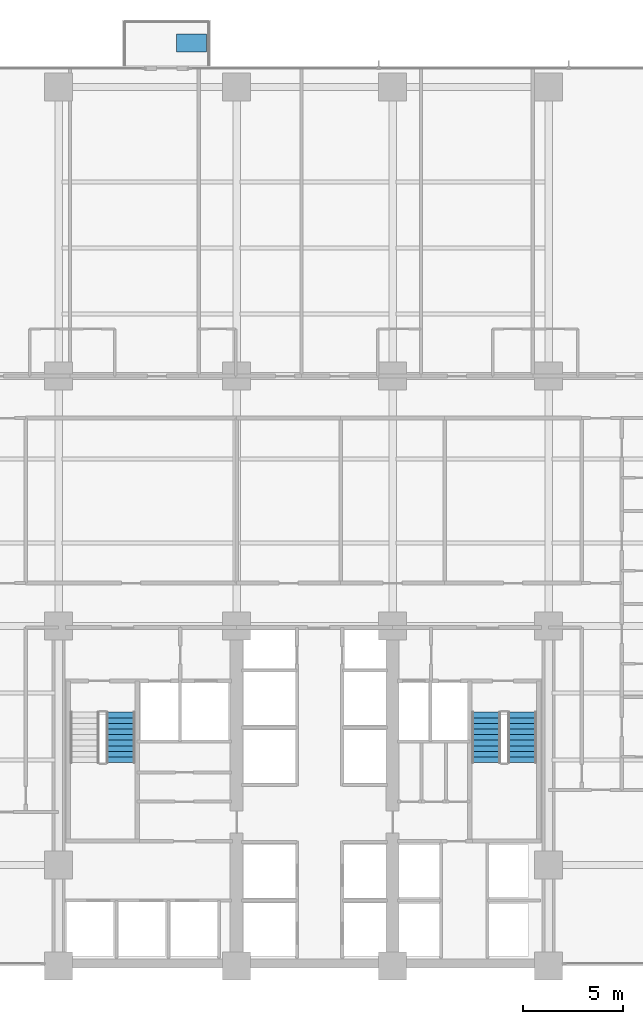
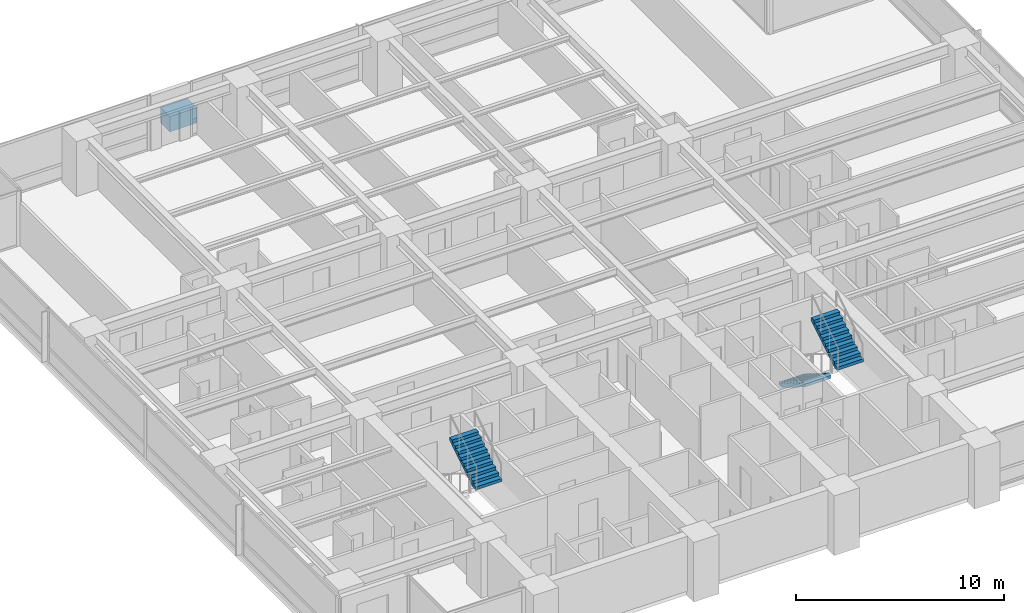
# One storey, part 12 of 18: 3 stair flights, 1 discrete accessory, 2 elements without a shape of their own.
"""IFC4 building model written with IfcOpenShell, lengths in metres."""

from ifc_helpers import new_model, si_unit, direction, frame, origin, place, context, subcontext, project, spatial, polyline, outline, extrude, material, layer, layer_set, type_object, element, aggregate, save


model = new_model("IFC4")

# Units and contexts
model_context = context("Model", 3, precision=1e-05, world=origin(), true_north=direction((0.0, 1.0)))
body_context = subcontext(model_context, "Body", "Model", "MODEL_VIEW")
ifc_project = project(units=[si_unit("LENGTHUNIT", "METRE"), si_unit("AREAUNIT", "SQUARE_METRE"), si_unit("VOLUMEUNIT", "CUBIC_METRE"), si_unit("PLANEANGLEUNIT", "RADIAN"), si_unit("MASSUNIT", "GRAM", prefix="KILO")], contexts=[model_context])

# Site, building, storey
site_placement = place(None, origin())
site = spatial("IfcSite", under=ifc_project, at=site_placement, CompositionType="ELEMENT")
building_placement = place(site_placement, origin())
building = spatial("IfcBuilding", under=site, at=building_placement, Name="Qalmaran Belvedere Hotel", CompositionType="ELEMENT")
storey_placement = place(building_placement, frame((0.0, 0.0, 54.39990234375)))
storey = spatial("IfcBuildingStorey", under=building, at=storey_placement, Name="L13", CompositionType="ELEMENT", Elevation=54.39990234375)

# Stair, stair flight
ifc_material = material(Name="Concrete C40/50", Category="concrete")
stair_type_1 = type_object("IfcStairType", Name="STR-ST-1-1450-R1750", PredefinedType="HALF_TURN_STAIR", material=ifc_material)
stair_1_placement = place(storey_placement, origin())
stair_1 = element("IfcStair", 1, at=stair_1_placement, inside=storey, type_object=stair_type_1, Name="L13 West Core Exit Stair ST-1", PredefinedType="HALF_TURN_STAIR")
ifc_layer_1 = layer(ifc_material, 0.14990234375, Name="Concrete C40/50")
ifc_layer_set_1 = layer_set([ifc_layer_1], Name="Concrete C40/50")
stair_flight_type_1 = type_object("IfcStairFlightType", Name="STF-ST-1-1450-R1750", PredefinedType="STRAIGHT", material=ifc_layer_set_1)
stair_flight_1_placement = place(storey_placement, frame((23.39501953125, 13.669921875, 1.75), z_axis=(0.0, 0.0, 1.0), x_axis=(0.0, 1.0, 0.0)))
stair_flight_1 = element("IfcStairFlight", 2, at=stair_flight_1_placement, type_object=stair_flight_type_1, Name="ST-1 flight 2", NumberOfRisers=10, NumberOfTreads=9, PredefinedType="STRAIGHT", RiserHeight=0.175, TreadLength=0.28, context=body_context, shape_type="SweptSolid", body=[
    extrude(outline(polyline([(0.0, 0.0), (0.0, 0.175048828125), (0.280029296875, 0.175048828125), (0.280029296875, 0.35009765625), (0.56005859375, 0.35009765625), (0.56005859375, 0.52490234375), (0.840087890625, 0.52490234375), (0.840087890625, 0.699951171875), (1.1201171875, 0.699951171875), (1.1201171875, 0.875), (1.39990234375, 0.875), (1.39990234375, 1.050048828125), (1.679931640625, 1.050048828125), (1.679931640625, 1.22509765625), (1.9599609375, 1.22509765625), (1.9599609375, 1.39990234375), (2.239990234375, 1.39990234375), (2.239990234375, 1.574951171875), (2.52001953125, 1.574951171875), (2.52001953125, 1.75), (2.52001953125, 1.398193359375), (0.28271484375, 0.0), (0.0, 0.0)])), frame((0.0, 0.72509765625, 0.0), z_axis=(0.0, -1.0, 0.0), x_axis=(1.0, 0.0, 0.0)), (0.0, 0.0, 1.0), 1.449951171875),
])
aggregate(stair_1, [stair_flight_1])

# Stair, stair flights
stair_type_2 = type_object("IfcStairType", Name="STR-ST-2-1450-R1750", PredefinedType="HALF_TURN_STAIR", material=ifc_material)
stair_2_placement = place(storey_placement, origin())
stair_2 = element("IfcStair", 3, at=stair_2_placement, inside=storey, type_object=stair_type_2, Name="L13 East Core Exit Stair ST-2", PredefinedType="HALF_TURN_STAIR")
ifc_layer_2 = layer(ifc_material, 0.14990234375, Name="Concrete C40/50")
ifc_layer_set_2 = layer_set([ifc_layer_2], Name="Concrete C40/50")
stair_flight_type_2 = type_object("IfcStairFlightType", Name="STF-ST-2-1450-R1750", PredefinedType="STRAIGHT", material=ifc_layer_set_2)
stair_flight_2_placement = place(storey_placement, frame((41.68505859375, 16.18994140625, 0.0), z_axis=(0.0, 0.0, 1.0), x_axis=(0.0, -1.0, 0.0)))
stair_flight_2 = element("IfcStairFlight", 4, at=stair_flight_2_placement, type_object=stair_flight_type_2, Name="ST-2 flight 1", NumberOfRisers=10, NumberOfTreads=9, PredefinedType="STRAIGHT", RiserHeight=0.175, TreadLength=0.28, context=body_context, shape_type="SweptSolid", body=[
    extrude(outline(polyline([(0.0, 0.0), (0.0, 0.175048828125), (0.280029296875, 0.175048828125), (0.280029296875, 0.35009765625), (0.56005859375, 0.35009765625), (0.56005859375, 0.52490234375), (0.840087890625, 0.52490234375), (0.840087890625, 0.699951171875), (1.1201171875, 0.699951171875), (1.1201171875, 0.875), (1.39990234375, 0.875), (1.39990234375, 1.050048828125), (1.679931640625, 1.050048828125), (1.679931640625, 1.22509765625), (1.9599609375, 1.22509765625), (1.9599609375, 1.39990234375), (2.239990234375, 1.39990234375), (2.239990234375, 1.574951171875), (2.52001953125, 1.574951171875), (2.52001953125, 1.75), (2.52001953125, 1.398193359375), (0.28271484375, 0.0), (0.0, 0.0)])), frame((0.0, 0.72509765625, 0.0), z_axis=(0.0, -1.0, 0.0), x_axis=(1.0, 0.0, 0.0)), (0.0, 0.0, 1.0), 1.449951171875),
])
stair_flight_3_placement = place(storey_placement, frame((43.47509765625, 13.669921875, 1.75), z_axis=(0.0, 0.0, 1.0), x_axis=(0.0, 1.0, 0.0)))
stair_flight_3 = element("IfcStairFlight", 5, at=stair_flight_3_placement, type_object=stair_flight_type_2, Name="ST-2 flight 2", NumberOfRisers=10, NumberOfTreads=9, PredefinedType="STRAIGHT", RiserHeight=0.175, TreadLength=0.28, context=body_context, shape_type="SweptSolid", body=[
    extrude(outline(polyline([(0.0, 0.0), (0.0, 0.175048828125), (0.280029296875, 0.175048828125), (0.280029296875, 0.35009765625), (0.56005859375, 0.35009765625), (0.56005859375, 0.52490234375), (0.840087890625, 0.52490234375), (0.840087890625, 0.699951171875), (1.1201171875, 0.699951171875), (1.1201171875, 0.875), (1.39990234375, 0.875), (1.39990234375, 1.050048828125), (1.679931640625, 1.050048828125), (1.679931640625, 1.22509765625), (1.9599609375, 1.22509765625), (1.9599609375, 1.39990234375), (2.239990234375, 1.39990234375), (2.239990234375, 1.574951171875), (2.52001953125, 1.574951171875), (2.52001953125, 1.75), (2.52001953125, 1.398193359375), (0.28271484375, 0.0), (0.0, 0.0)])), frame((0.0, 0.72509765625, 0.0), z_axis=(0.0, -1.0, 0.0), x_axis=(1.0, 0.0, 0.0)), (0.0, 0.0, 1.0), 1.449951171875),
])
aggregate(stair_2, [stair_flight_2, stair_flight_3])

# Discrete accessory
discrete_accessory_type = type_object("IfcDiscreteAccessoryType", Name="PLN-BAL-1500", PredefinedType="USERDEFINED", material=ifc_material)
discrete_accessory_placement = place(storey_placement, origin())
element("IfcDiscreteAccessory", 6, at=discrete_accessory_placement, inside=storey, type_object=discrete_accessory_type, Name="L13 Sky Tree Planter", ObjectType="PLANTER", PredefinedType="USERDEFINED", context=body_context, shape_type="SweptSolid", body=[
    extrude(outline(polyline([(26.199951171875, 49.199951171875), (27.699951171875, 49.199951171875), (27.699951171875, 50.10009765625), (26.199951171875, 50.10009765625), (26.199951171875, 49.199951171875)])), origin(), (0.0, 0.0, 1.0), 0.900146484375),
])

save(model, "model.ifc")
